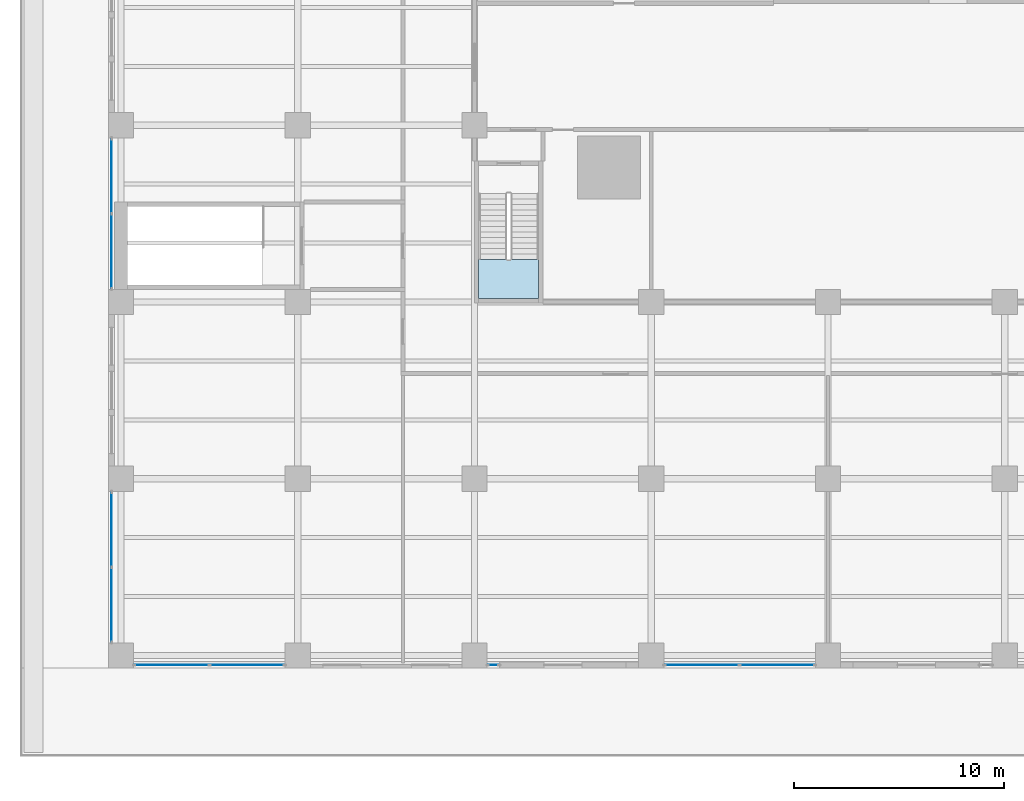
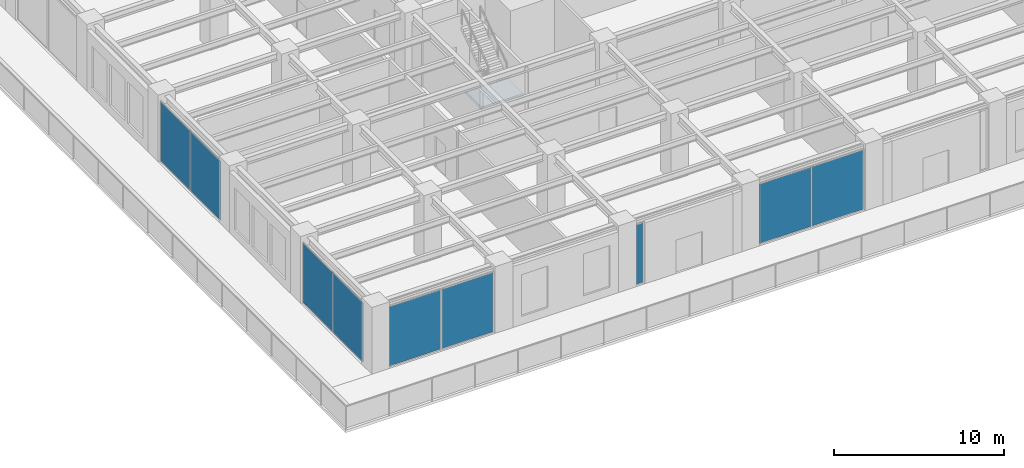
# One storey, part 22 of 53: 9 plates, 1 slab, 6 elements without a shape of their own.
"""IFC4 building model written with IfcOpenShell, lengths in metres."""

from ifc_helpers import new_model, si_unit, direction, frame, origin, origin_2d, place, context, subcontext, project, spatial, polyline, rectangle, outline, extrude, material, layer, layer_set, type_object, element, aggregate, save


model = new_model("IFC4")

# Units and contexts
model_context = context("Model", 3, precision=1e-05, world=origin(), true_north=direction((0.0, 1.0)))
body_context = subcontext(model_context, "Body", "Model", "MODEL_VIEW")
ifc_project = project(units=[si_unit("LENGTHUNIT", "METRE"), si_unit("AREAUNIT", "SQUARE_METRE"), si_unit("VOLUMEUNIT", "CUBIC_METRE"), si_unit("PLANEANGLEUNIT", "RADIAN"), si_unit("MASSUNIT", "GRAM", prefix="KILO")], contexts=[model_context])

# Site, building, storey
site_placement = place(None, origin())
site = spatial("IfcSite", under=ifc_project, at=site_placement, CompositionType="ELEMENT")
building_placement = place(site_placement, origin())
building = spatial("IfcBuilding", under=site, at=building_placement, Name="Khepri Terraces", CompositionType="ELEMENT")
storey_placement = place(building_placement, frame((0.0, 0.0, 7.199951171875)))
storey = spatial("IfcBuildingStorey", under=building, at=storey_placement, Name="L01", CompositionType="ELEMENT", Elevation=7.199951171875)

# Curtain wall, plates
ifc_material_1 = material(Name="Anodised aluminium bronze curtain wall", Category="aluminium")
curtain_wall_type = type_object("IfcCurtainWallType", Name="CW-SYS2-PODIUM", PredefinedType="NOTDEFINED", material=ifc_material_1)
curtain_wall_1_placement = place(storey_placement, origin())
curtain_wall_1 = element("IfcCurtainWall", 1, at=curtain_wall_1_placement, inside=storey, type_object=curtain_wall_type, Name="Curtain wall CW2 L01 S", PredefinedType="NOTDEFINED")
ifc_material_2 = material(Name="Clear glass", Category="glass")
ifc_layer_1 = layer(ifc_material_2, 0.028076171875, Name="Clear glass", Category="glass")
ifc_layer_set_1 = layer_set([ifc_layer_1], Name="Clear glass")
plate_type = type_object("IfcPlateType", Name="CW-PANEL-VISION-28", PredefinedType="CURTAIN_PANEL", material=ifc_layer_set_1)
plate_1_placement = place(storey_placement, frame((-39.5849609375, -42.449951171875, 0.06005859375), z_axis=(0.0, 0.0, 1.0), x_axis=(1.0, 0.0, 0.0)))
plate_1 = element("IfcPlate", 2, at=plate_1_placement, type_object=plate_type, Name="CW2 panel 1.1", PredefinedType="CURTAIN_PANEL", context=body_context, shape_type="SweptSolid", body=[
    extrude(rectangle(XDim=3.510009765625, YDim=0.028076171875, at=origin_2d()), origin(), (0.0, 0.0, 1.0), 4.260009765625),
])
plate_2_placement = place(storey_placement, frame((-36.014892578125, -42.449951171875, 0.06005859375), z_axis=(0.0, 0.0, 1.0), x_axis=(1.0, 0.0, 0.0)))
plate_2 = element("IfcPlate", 3, at=plate_2_placement, type_object=plate_type, Name="CW2 panel 2.1", PredefinedType="CURTAIN_PANEL", context=body_context, shape_type="SweptSolid", body=[
    extrude(rectangle(XDim=3.510009765625, YDim=0.028076171875, at=origin_2d()), origin(), (0.0, 0.0, 1.0), 4.260009765625),
])
aggregate(curtain_wall_1, [plate_1, plate_2])

# Curtain wall, plate
curtain_wall_2_placement = place(storey_placement, origin())
curtain_wall_2 = element("IfcCurtainWall", 4, at=curtain_wall_2_placement, inside=storey, type_object=curtain_wall_type, Name="Curtain wall CW2 L01 S", PredefinedType="NOTDEFINED")
plate_3_placement = place(storey_placement, frame((-24.300048828125, -42.449951171875, 0.06005859375), z_axis=(0.0, 0.0, 1.0), x_axis=(1.0, 0.0, 0.0)))
plate_3 = element("IfcPlate", 5, at=plate_3_placement, type_object=plate_type, Name="CW2 panel 1.1", PredefinedType="CURTAIN_PANEL", context=body_context, shape_type="SweptSolid", body=[
    extrude(rectangle(XDim=0.47998046875, YDim=0.028076171875, at=origin_2d()), origin(), (0.0, 0.0, 1.0), 4.260009765625),
])
aggregate(curtain_wall_2, [plate_3])

# Curtain wall, plates
curtain_wall_3_placement = place(storey_placement, origin())
curtain_wall_3 = element("IfcCurtainWall", 6, at=curtain_wall_3_placement, inside=storey, type_object=curtain_wall_type, Name="Curtain wall CW2 L01 S", PredefinedType="NOTDEFINED")
plate_4_placement = place(storey_placement, frame((-14.385009765625, -42.449951171875, 0.06005859375), z_axis=(0.0, 0.0, 1.0), x_axis=(1.0, 0.0, 0.0)))
plate_4 = element("IfcPlate", 7, at=plate_4_placement, type_object=plate_type, Name="CW2 panel 1.1", PredefinedType="CURTAIN_PANEL", context=body_context, shape_type="SweptSolid", body=[
    extrude(rectangle(XDim=3.510009765625, YDim=0.028076171875, at=origin_2d()), origin(), (0.0, 0.0, 1.0), 4.260009765625),
])
plate_5_placement = place(storey_placement, frame((-10.81494140625, -42.449951171875, 0.06005859375), z_axis=(0.0, 0.0, 1.0), x_axis=(1.0, 0.0, 0.0)))
plate_5 = element("IfcPlate", 8, at=plate_5_placement, type_object=plate_type, Name="CW2 panel 2.1", PredefinedType="CURTAIN_PANEL", context=body_context, shape_type="SweptSolid", body=[
    extrude(rectangle(XDim=3.510009765625, YDim=0.028076171875, at=origin_2d()), origin(), (0.0, 0.0, 1.0), 4.260009765625),
])
aggregate(curtain_wall_3, [plate_4, plate_5])

curtain_wall_4_placement = place(storey_placement, origin())
curtain_wall_4 = element("IfcCurtainWall", 9, at=curtain_wall_4_placement, inside=storey, type_object=curtain_wall_type, Name="Curtain wall CW2 L01 W", PredefinedType="NOTDEFINED")
plate_6_placement = place(storey_placement, frame((-42.449951171875, -19.215087890625, 0.06005859375), z_axis=(0.0, 0.0, 1.0), x_axis=(0.0, -1.0, 0.0)))
plate_6 = element("IfcPlate", 10, at=plate_6_placement, type_object=plate_type, Name="CW2 panel 1.1", PredefinedType="CURTAIN_PANEL", context=body_context, shape_type="SweptSolid", body=[
    extrude(rectangle(XDim=3.510009765625, YDim=0.028076171875, at=origin_2d()), origin(), (0.0, 0.0, 1.0), 4.260009765625),
])
plate_7_placement = place(storey_placement, frame((-42.449951171875, -22.784912109375, 0.06005859375), z_axis=(0.0, 0.0, 1.0), x_axis=(0.0, -1.0, 0.0)))
plate_7 = element("IfcPlate", 11, at=plate_7_placement, type_object=plate_type, Name="CW2 panel 2.1", PredefinedType="CURTAIN_PANEL", context=body_context, shape_type="SweptSolid", body=[
    extrude(rectangle(XDim=3.510009765625, YDim=0.028076171875, at=origin_2d()), origin(), (0.0, 0.0, 1.0), 4.260009765625),
])
aggregate(curtain_wall_4, [plate_6, plate_7])

curtain_wall_5_placement = place(storey_placement, origin())
curtain_wall_5 = element("IfcCurtainWall", 12, at=curtain_wall_5_placement, inside=storey, type_object=curtain_wall_type, Name="Curtain wall CW2 L01 W", PredefinedType="NOTDEFINED")
plate_8_placement = place(storey_placement, frame((-42.449951171875, -36.014892578125, 0.06005859375), z_axis=(0.0, 0.0, 1.0), x_axis=(0.0, -1.0, 0.0)))
plate_8 = element("IfcPlate", 13, at=plate_8_placement, type_object=plate_type, Name="CW2 panel 1.1", PredefinedType="CURTAIN_PANEL", context=body_context, shape_type="SweptSolid", body=[
    extrude(rectangle(XDim=3.510009765625, YDim=0.028076171875, at=origin_2d()), origin(), (0.0, 0.0, 1.0), 4.260009765625),
])
plate_9_placement = place(storey_placement, frame((-42.449951171875, -39.5849609375, 0.06005859375), z_axis=(0.0, 0.0, 1.0), x_axis=(0.0, -1.0, 0.0)))
plate_9 = element("IfcPlate", 14, at=plate_9_placement, type_object=plate_type, Name="CW2 panel 2.1", PredefinedType="CURTAIN_PANEL", context=body_context, shape_type="SweptSolid", body=[
    extrude(rectangle(XDim=3.510009765625, YDim=0.028076171875, at=origin_2d()), origin(), (0.0, 0.0, 1.0), 4.260009765625),
])
aggregate(curtain_wall_5, [plate_8, plate_9])

# Stair, slab
ifc_material_3 = material(Name="Concrete C40/50", Category="concrete")
stair_type = type_object("IfcStairType", Name="ST-POD", PredefinedType="HALF_TURN_STAIR", material=ifc_material_3)
stair_placement = place(storey_placement, origin())
stair = element("IfcStair", 15, at=stair_placement, inside=storey, type_object=stair_type, Name="L01 Exit Stair PS-4", PredefinedType="HALF_TURN_STAIR")
ifc_layer_2 = layer(ifc_material_3, 0.199951171875, Name="Concrete C40/50", Category="concrete")
ifc_layer_set_2 = layer_set([ifc_layer_2], Name="Concrete C40/50")
slab_type = type_object("IfcSlabType", Name="SL-POD", PredefinedType="LANDING", material=ifc_layer_set_2)
slab_placement = place(storey_placement, frame((0.0, 0.0, 2.199951171875)))
slab = element("IfcSlab", 16, at=slab_placement, type_object=slab_type, Name="PS-4 landing 1", PredefinedType="LANDING", context=body_context, shape_type="SweptSolid", body=[
    extrude(outline(polyline([(-25.0, -23.169921875), (-25.0, -25.0400390625), (-22.14990234375, -25.0400390625), (-22.14990234375, -23.169921875), (-25.0, -23.169921875)])), origin(), (0.0, 0.0, 1.0), 0.2001953125),
])
aggregate(stair, [slab])

save(model, "model.ifc")
